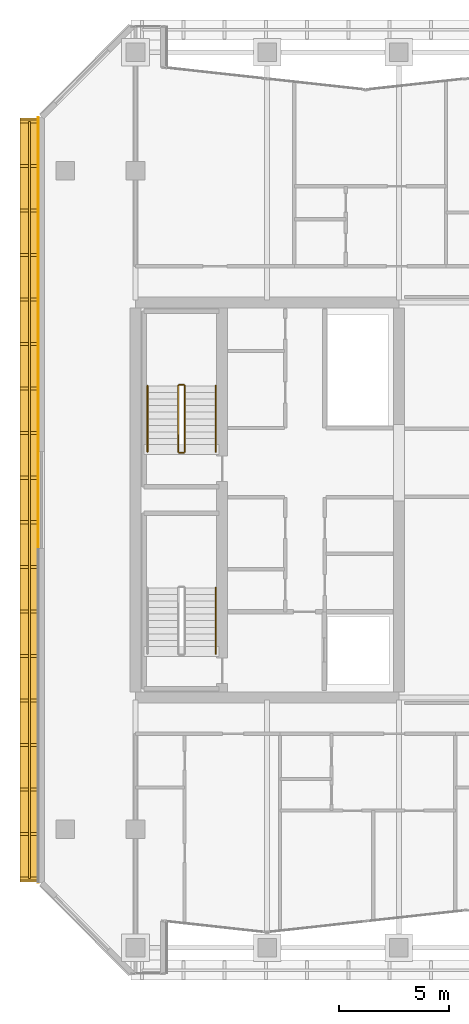
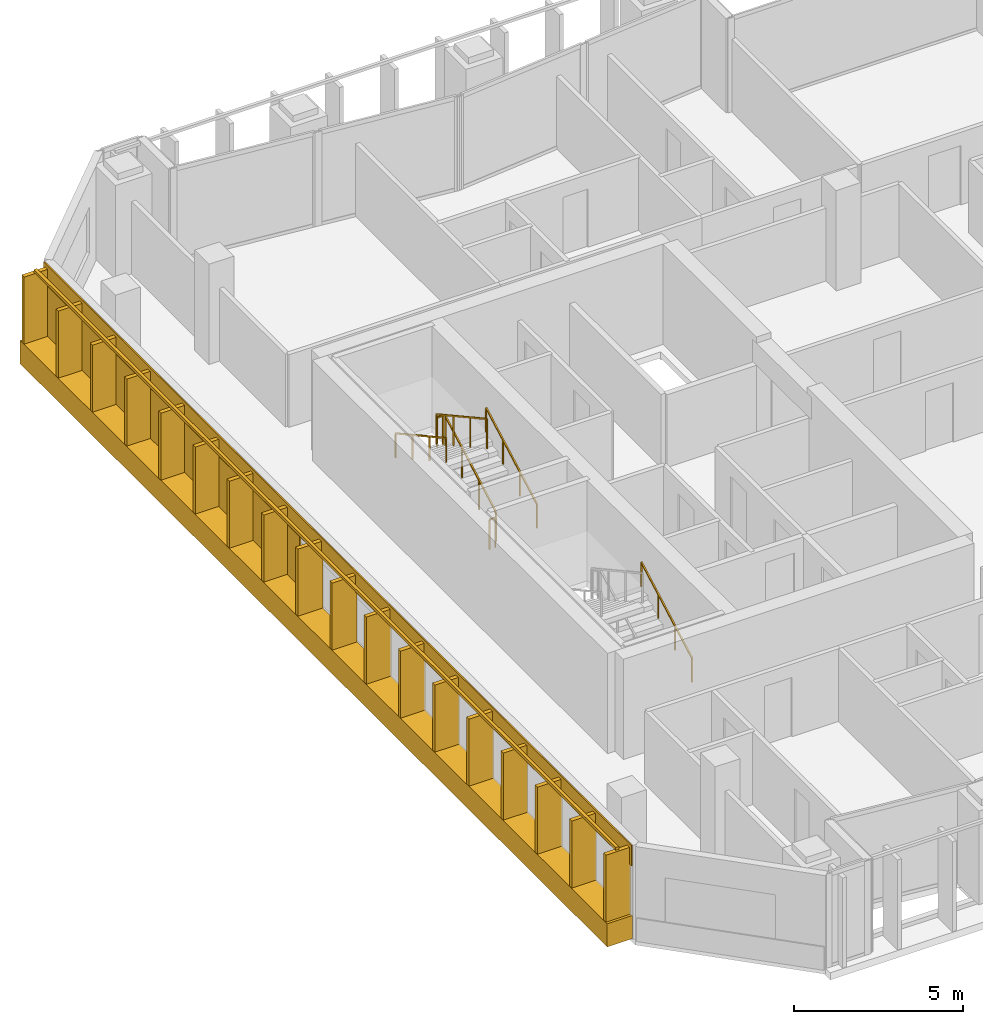
# One storey, part 26 of 29: 8 railings, 3 coverings.
"""IFC4 building model written with IfcOpenShell, lengths in metres."""

import ifcopenshell
import ifcopenshell.guid

model = None  # the IFC model being written
_history = None  # IfcOwnerHistory: only IFC2X3 demands one
_inside = {}  # id of a spatial element -> (the spatial element, [elements in it])
_under = {}  # id of a project, library or spatial element -> (it, [spatial elements below it])
_declared = {}  # id of a project -> (the project, [libraries it declares])
_typed = {}  # id of a type object -> (the type object, [elements of that type])
_made_of = {}  # id of a material, layer set ... -> (it, [elements and type objects made of it])


def new_model(schema):
    """Start an empty IFC model of exactly this schema.

    Asked for "IFC4X3", IfcOpenShell would pick the latest addendum, in which some entities
    have other attributes; the version numbers below select the first issue.
    IFC2X3 requires an IfcOwnerHistory on every rooted entity: one is made here for all.
    """
    global model, _history
    if schema == "IFC4X3":
        model = ifcopenshell.file(schema_version=(4, 3, 0, 0))
    else:
        model = ifcopenshell.file(schema=schema)
    _inside.clear()
    _under.clear()
    _declared.clear()
    _typed.clear()
    _made_of.clear()
    _history = None
    if model.schema == "IFC2X3":
        org = make("IfcOrganization", Name="unknown")
        user = make(
            "IfcPersonAndOrganization",
            ThePerson=make("IfcPerson", FamilyName="unknown"),
            TheOrganization=org,
        )
        app = make(
            "IfcApplication",
            ApplicationDeveloper=org,
            Version="unknown",
            ApplicationFullName="unknown",
            ApplicationIdentifier="unknown",
        )
        _history = make(
            "IfcOwnerHistory",
            OwningUser=user,
            OwningApplication=app,
            ChangeAction="ADDED",
            CreationDate=0,
        )
    return model


def make(cls, **values):
    """One entity of the class cls with the attributes given. An attribute that is None is left unset."""
    return model.create_entity(
        cls, **{name: value for name, value in values.items() if value is not None}
    )


def rooted(cls, **values):
    """An entity with a GlobalId (a new one), such as an element, a storey or a relation."""
    return make(cls, GlobalId=ifcopenshell.guid.new(), OwnerHistory=_history, **values)


def si_unit(unit_type, name, prefix=None):
    """IfcSIUnit, for example si_unit("LENGTHUNIT", "METRE", prefix="MILLI")."""
    return make("IfcSIUnit", UnitType=unit_type, Prefix=prefix, Name=name)


def assignment(units):
    """IfcUnitAssignment: the units of a project."""
    return None if units is None else make("IfcUnitAssignment", Units=units)


def point(xyz):
    """IfcCartesianPoint."""
    return None if xyz is None else make("IfcCartesianPoint", Coordinates=xyz)


def direction(xyz):
    """IfcDirection."""
    return None if xyz is None else make("IfcDirection", DirectionRatios=xyz)


def frame(location, z_axis=None, x_axis=None):
    """IfcAxis2Placement3D, a coordinate frame: its origin and axes. An axis left out is left unset."""
    return make(
        "IfcAxis2Placement3D",
        Location=point(location),
        Axis=direction(z_axis),
        RefDirection=direction(x_axis),
    )


def frame_2d(location, x_axis=None):
    """IfcAxis2Placement2D, a coordinate frame in the plane: its origin and x axis."""
    return make(
        "IfcAxis2Placement2D", Location=point(location), RefDirection=direction(x_axis)
    )


def origin():
    """The frame at (0, 0, 0) with its axes left unset."""
    return frame((0.0, 0.0, 0.0))


def origin_2d():
    """The frame at (0, 0) in the plane with its x axis left unset."""
    return frame_2d((0.0, 0.0))


def place(relative_to, where):
    """IfcLocalPlacement: puts the frame where relative to a parent placement (None: the world)."""
    return make(
        "IfcLocalPlacement", PlacementRelTo=relative_to, RelativePlacement=where
    )


def context(
    kind, dimensions, precision=None, world=None, true_north=None, identifier=None
):
    """IfcGeometricRepresentationContext, for example the 3D "Model" context."""
    return make(
        "IfcGeometricRepresentationContext",
        ContextIdentifier=identifier,
        ContextType=kind,
        CoordinateSpaceDimension=dimensions,
        Precision=precision,
        WorldCoordinateSystem=world,
        TrueNorth=true_north,
    )


def subcontext(parent, identifier, kind, view, scale=None):
    """IfcGeometricRepresentationSubContext, for example "Body" below "Model"."""
    return make(
        "IfcGeometricRepresentationSubContext",
        ContextIdentifier=identifier,
        ContextType=kind,
        ParentContext=parent,
        TargetScale=scale,
        TargetView=view,
    )


def project(units=None, contexts=None):
    """IfcProject with its units and contexts."""
    return rooted(
        "IfcProject",
        Name="project",
        RepresentationContexts=contexts,
        UnitsInContext=assignment(units),
    )


def spatial(cls, under=None, at=None, **own):
    """A site, building, storey or space (cls), placed at a placement, below another one or the project."""
    s = rooted(cls, ObjectPlacement=at, **own)
    if under is not None:
        _under.setdefault(under.id(), (under, []))[1].append(s)
    return s


def profile(cls, at=None, kind="AREA", **sizes):
    """A parametric profile (cls). Its sizes go by their IFC names, for example OverallWidth=200.0."""
    return make(cls, ProfileType=kind, Position=at, **sizes)


def rectangle(**sizes):
    """IfcRectangleProfileDef."""
    return profile("IfcRectangleProfileDef", **sizes)


def extrude(swept, where, along, depth):
    """IfcExtrudedAreaSolid: the profile swept, set in the frame where, extruded along a direction by depth."""
    return make(
        "IfcExtrudedAreaSolid",
        SweptArea=swept,
        Position=where,
        ExtrudedDirection=direction(along),
        Depth=depth,
    )


def shape(context_of_items, identifier, shape_type, items):
    """IfcShapeRepresentation: the items that make up one representation, for example the "Body"."""
    return make(
        "IfcShapeRepresentation",
        ContextOfItems=context_of_items,
        RepresentationIdentifier=identifier,
        RepresentationType=shape_type,
        Items=items,
    )


def material(Name=None, Category=None):
    """IfcMaterial."""
    return make("IfcMaterial", Name=Name, Category=Category)


def layer(
    of_material, thickness, ventilated=None, Name=None, Category=None, Priority=None
):
    """IfcMaterialLayer: one layer of a wall or slab, of a material (None: an air gap)."""
    return make(
        "IfcMaterialLayer",
        Material=of_material,
        LayerThickness=thickness,
        IsVentilated=ventilated,
        Name=Name,
        Category=Category,
        Priority=Priority,
    )


def layer_set(layers, Name=None):
    """IfcMaterialLayerSet."""
    return make("IfcMaterialLayerSet", MaterialLayers=layers, LayerSetName=Name)


def made_of(thing, what):
    """Note that an element or type object is made of a material, layer set ...; save() writes the relation."""
    if what is not None:
        _made_of.setdefault(what.id(), (what, []))[1].append(thing)
    return thing


def type_object(cls, material=None, **own):
    """A type object (cls), such as IfcWallType, which elements share."""
    return made_of(rooted(cls, **own), material)


def element(
    cls,
    number,
    at=None,
    inside=None,
    cuts=None,
    type_object=None,
    material=None,
    context=None,
    identifier="Body",
    shape_type=None,
    held_by="IfcProductDefinitionShape",
    body=None,
    shapes=None,
    **own,
):
    """One element of the class cls, such as IfcWall. Its Tag is "e" and its number.

    at: its placement. inside: the storey or other place that contains it. cuts: it is an
    opening in that element (IfcRelVoidsElement). A single representation is given by context,
    identifier, shape_type and body (its items); several are given by shapes. held_by: the class
    of the entity that holds the representations. save() writes the other relations.
    """
    e = rooted(cls, Tag="e%d" % number, ObjectPlacement=at, **own)
    if body is not None:
        shapes = [shape(context, identifier, shape_type, body)]
    if shapes is not None:
        e.Representation = make(held_by, Representations=shapes)
    if inside is not None:
        _inside.setdefault(inside.id(), (inside, []))[1].append(e)
    if cuts is not None:
        rooted(
            "IfcRelVoidsElement", RelatingBuildingElement=cuts, RelatedOpeningElement=e
        )
    if type_object is not None:
        _typed.setdefault(type_object.id(), (type_object, []))[1].append(e)
    return made_of(e, material)


def aggregate(whole, parts):
    """IfcRelAggregates: a whole, such as a stair, and the parts it consists of."""
    return rooted("IfcRelAggregates", RelatingObject=whole, RelatedObjects=parts)


def save(model, path):
    """Write the relations noted so far, then the file.

    IfcRelAggregates (storeys below a building ...), IfcRelContainedInSpatialStructure (elements
    in a storey), IfcRelDefinesByType, IfcRelAssociatesMaterial and IfcRelDeclares: one each for
    every whole, place, type object, material and project.
    """
    for whole, parts in _under.values():
        aggregate(whole, parts)
    for where, things in _inside.values():
        rooted(
            "IfcRelContainedInSpatialStructure",
            RelatedElements=things,
            RelatingStructure=where,
        )
    for kind, things in _typed.values():
        rooted("IfcRelDefinesByType", RelatedObjects=things, RelatingType=kind)
    for what, things in _made_of.values():
        rooted("IfcRelAssociatesMaterial", RelatedObjects=things, RelatingMaterial=what)
    for by, libraries in _declared.values():
        rooted("IfcRelDeclares", RelatingContext=by, RelatedDefinitions=libraries)
    model.write(path)


model = new_model("IFC4")

# Units and contexts
model_context = context("Model", 3, precision=1e-05, world=origin(), true_north=direction((0.0, 1.0)))
body_context = subcontext(model_context, "Body", "Model", "MODEL_VIEW")
ifc_project = project(units=[si_unit("LENGTHUNIT", "METRE"), si_unit("AREAUNIT", "SQUARE_METRE"), si_unit("VOLUMEUNIT", "CUBIC_METRE"), si_unit("PLANEANGLEUNIT", "RADIAN"), si_unit("MASSUNIT", "GRAM", prefix="KILO")], contexts=[model_context])

# Site, building, storey
site_placement = place(None, origin())
site = spatial("IfcSite", under=ifc_project, at=site_placement, CompositionType="ELEMENT")
building_placement = place(site_placement, origin())
building = spatial("IfcBuilding", under=site, at=building_placement, Name="Tanjung Sevakor Pilgrim Tower", CompositionType="ELEMENT")
storey_placement = place(building_placement, frame((0.0, 0.0, 162.030029296875)))
storey = spatial("IfcBuildingStorey", under=building, at=storey_placement, Name="L45", CompositionType="ELEMENT", Elevation=162.030029296875)

# Coverings
ifc_material_1 = material(Name="Reconstructed Limestone Cladding", Category="masonry")
ifc_layer = layer(ifc_material_1, 0.044921875)
ifc_layer_set = layer_set([ifc_layer], Name="COV-CLAD-LIMESTONE")
covering_type = type_object("IfcCoveringType", Name="COV-CLAD-LIMESTONE", PredefinedType="CLADDING", material=ifc_layer_set)
covering_1_placement = place(storey_placement, frame((19.169921875, 33.60009765625, 0.009765625), z_axis=(0.0, 0.0, 1.0), x_axis=(0.0, -1.0, 0.0)))
element("IfcCovering", 1, at=covering_1_placement, inside=storey, type_object=covering_type, Name="L45 Warm Limestone Sill Spandrel EW-L45-MAIN-35-1", PredefinedType="CLADDING", context=body_context, shape_type="SweptSolid", body=[
    extrude(rectangle(XDim=34.81640625, YDim=0.860107421875, at=origin_2d()), origin(), (0.0, 0.0, 1.0), 0.840087890625),
])
covering_2_placement = place(storey_placement, frame((19.577392578125, 33.60009765625, 2.66015625), z_axis=(0.0, 0.0, 1.0), x_axis=(0.0, -1.0, 0.0)))
element("IfcCovering", 2, at=covering_2_placement, inside=storey, type_object=covering_type, Name="L45 Warm Limestone Cornice Spandrel EW-L45-MAIN-35", PredefinedType="CLADDING", context=body_context, shape_type="SweptSolid", body=[
    extrude(rectangle(XDim=34.8564453125, YDim=0.044921875, at=origin_2d()), origin(), (0.0, 0.0, 1.0), 0.739990234375),
])
covering_3_placement = place(storey_placement, frame((19.577392578125, 43.42919921875, 0.849853515625), z_axis=(0.0, 0.0, 1.0), x_axis=(0.0, -1.0, 0.0)))
element("IfcCovering", 3, at=covering_3_placement, inside=storey, type_object=covering_type, Name="L45 Warm Limestone Pier Panel EW-L45-MAIN-35-1", PredefinedType="CLADDING", context=body_context, shape_type="SweptSolid", body=[
    extrude(rectangle(XDim=15.158203125, YDim=0.044921875, at=origin_2d()), origin(), (0.0, 0.0, 1.0), 1.81005859375),
])

# Railings
ifc_material_2 = material(Name="Anodised Bronze Aluminium 6063-T6", Category="aluminium")
railing_type_1 = type_object("IfcRailingType", Name="RL-FIN-SCREEN", PredefinedType="BALUSTRADE", material=ifc_material_2)
railing_1_placement = place(storey_placement, frame((19.175048828125, 50.84814453125, 0.840087890625)))
element("IfcRailing", 4, at=railing_1_placement, inside=storey, type_object=railing_type_1, Name="L45 Vertical Bronze-Gold Solar Fin Screen FNEND-EW-L45-MAIN-35-1", PredefinedType="BALUSTRADE", context=body_context, shape_type="SweptSolid", body=[
    extrude(rectangle(XDim=0.105, YDim=0.105), frame((0.0, 0.0, 2.487548828125), z_axis=(0.0, -1.0, 0.0), x_axis=(1.0, 0.0, 0.0)), (0.0, 0.0, 1.0), 34.496337890625),
    extrude(rectangle(XDim=0.85, YDim=0.14), origin(), (0.0, 0.0, 1.0), 2.43505859375),
    extrude(rectangle(XDim=0.85, YDim=0.14), frame((0.0, -2.029296875, 0.0)), (0.0, 0.0, 1.0), 2.43505859375),
    extrude(rectangle(XDim=0.85, YDim=0.14), frame((0.0, -4.058349609375, 0.0)), (0.0, 0.0, 1.0), 2.43505859375),
    extrude(rectangle(XDim=0.85, YDim=0.14), frame((0.0, -6.087646484375, 0.0)), (0.0, 0.0, 1.0), 2.43505859375),
    extrude(rectangle(XDim=0.85, YDim=0.14), frame((0.0, -8.11669921875, 0.0)), (0.0, 0.0, 1.0), 2.43505859375),
    extrude(rectangle(XDim=0.85, YDim=0.14), frame((0.0, -10.14599609375, 0.0)), (0.0, 0.0, 1.0), 2.43505859375),
    extrude(rectangle(XDim=0.85, YDim=0.14), frame((0.0, -12.17529296875, 0.0)), (0.0, 0.0, 1.0), 2.43505859375),
    extrude(rectangle(XDim=0.85, YDim=0.14), frame((0.0, -14.204345703125, 0.0)), (0.0, 0.0, 1.0), 2.43505859375),
    extrude(rectangle(XDim=0.85, YDim=0.14), frame((0.0, -16.233642578125, 0.0)), (0.0, 0.0, 1.0), 2.43505859375),
    extrude(rectangle(XDim=0.85, YDim=0.14), frame((0.0, -18.2626953125, 0.0)), (0.0, 0.0, 1.0), 2.43505859375),
    extrude(rectangle(XDim=0.85, YDim=0.14), frame((0.0, -20.2919921875, 0.0)), (0.0, 0.0, 1.0), 2.43505859375),
    extrude(rectangle(XDim=0.85, YDim=0.14), frame((0.0, -22.321044921875, 0.0)), (0.0, 0.0, 1.0), 2.43505859375),
    extrude(rectangle(XDim=0.85, YDim=0.14), frame((0.0, -24.350341796875, 0.0)), (0.0, 0.0, 1.0), 2.43505859375),
    extrude(rectangle(XDim=0.85, YDim=0.14), frame((0.0, -26.379638671875, 0.0)), (0.0, 0.0, 1.0), 2.43505859375),
    extrude(rectangle(XDim=0.85, YDim=0.14), frame((0.0, -28.40869140625, 0.0)), (0.0, 0.0, 1.0), 2.43505859375),
    extrude(rectangle(XDim=0.85, YDim=0.14), frame((0.0, -30.43798828125, 0.0)), (0.0, 0.0, 1.0), 2.43505859375),
    extrude(rectangle(XDim=0.85, YDim=0.14), frame((0.0, -32.467041015625, 0.0)), (0.0, 0.0, 1.0), 2.43505859375),
    extrude(rectangle(XDim=0.85, YDim=0.14), frame((0.0, -34.496337890625, 0.0)), (0.0, 0.0, 1.0), 2.43505859375),
])
ifc_material_3 = material(Name="Steel S355J2", Category="steel")
railing_type_2 = type_object("IfcRailingType", Name="RL-STAIR-GUARD", PredefinedType="GUARDRAIL", material=ifc_material_3)
railing_2_placement = place(storey_placement, frame((26.25, 35.800048828125, 0.1650390625)))
element("IfcRailing", 5, at=railing_2_placement, inside=storey, type_object=railing_type_2, Name="L45 TS-W2 stair guard 1", PredefinedType="GUARDRAIL", context=body_context, shape_type="SweptSolid", body=[
    extrude(rectangle(XDim=0.0479, YDim=0.0479), frame((0.0, 0.0, 1.076171875), z_axis=(0.0, 0.876227952683, 0.48189685093), x_axis=(-1.0, 0.0, 0.0)), (0.0, 0.0, 1.0), 3.423828125),
    extrude(rectangle(XDim=0.042, YDim=0.042), origin(), (0.0, 0.0, 1.0), 1.052001953125),
    extrude(rectangle(XDim=0.042, YDim=0.042), frame((0.0, 1.0, 0.550048828125)), (0.0, 0.0, 1.0), 1.052001953125),
    extrude(rectangle(XDim=0.042, YDim=0.042), frame((0.0, 2.0, 1.099853515625)), (0.0, 0.0, 1.0), 1.052001953125),
    extrude(rectangle(XDim=0.042, YDim=0.042), frame((0.0, 3.0, 1.64990234375)), (0.0, 0.0, 1.0), 1.052001953125),
])
railing_3_placement = place(storey_placement, frame((26.199951171875, 38.85009765625, 1.81494140625)))
element("IfcRailing", 6, at=railing_3_placement, inside=storey, type_object=railing_type_2, Name="L45 TS-W2 stair guard 2", PredefinedType="GUARDRAIL", context=body_context, shape_type="SweptSolid", body=[
    extrude(rectangle(XDim=0.0479, YDim=0.0479), frame((0.0, 0.0, 1.076171875), z_axis=(-1.0, 0.0, 0.0), x_axis=(0.0, -1.0, 0.0)), (0.0, 0.0, 1.0), 0.199951171875),
    extrude(rectangle(XDim=0.042, YDim=0.042), origin(), (0.0, 0.0, 1.0), 1.052001953125),
    extrude(rectangle(XDim=0.042, YDim=0.042), frame((-0.199951171875, 0.0, 0.0)), (0.0, 0.0, 1.0), 1.052001953125),
])
railing_4_placement = place(storey_placement, frame((25.949951171875, 38.800048828125, 1.97998046875)))
element("IfcRailing", 7, at=railing_4_placement, inside=storey, type_object=railing_type_2, Name="L45 TS-W2 stair guard 3", PredefinedType="GUARDRAIL", context=body_context, shape_type="SweptSolid", body=[
    extrude(rectangle(XDim=0.0479, YDim=0.0479), frame((0.0, 0.0, 1.076171875), z_axis=(0.0, -0.876227952683, 0.48189685093), x_axis=(1.0, 0.0, 0.0)), (0.0, 0.0, 1.0), 3.423828125),
    extrude(rectangle(XDim=0.042, YDim=0.042), origin(), (0.0, 0.0, 1.0), 1.052001953125),
    extrude(rectangle(XDim=0.042, YDim=0.042), frame((0.0, -1.0, 0.550048828125)), (0.0, 0.0, 1.0), 1.052001953125),
    extrude(rectangle(XDim=0.042, YDim=0.042), frame((0.0, -2.0, 1.099853515625)), (0.0, 0.0, 1.0), 1.052001953125),
    extrude(rectangle(XDim=0.042, YDim=0.042), frame((0.0, -3.0, 1.64990234375)), (0.0, 0.0, 1.0), 1.052001953125),
])
railing_5_placement = place(storey_placement, frame((26.199951171875, 35.75, 0.0)))
element("IfcRailing", 8, at=railing_5_placement, inside=storey, type_object=railing_type_2, Name="L45 TS-W2 stair guard 4", PredefinedType="GUARDRAIL", context=body_context, shape_type="SweptSolid", body=[
    extrude(rectangle(XDim=0.0479, YDim=0.0479), frame((0.0, 0.0, 1.076171875), z_axis=(-1.0, 0.0, 0.0), x_axis=(0.0, -1.0, 0.0)), (0.0, 0.0, 1.0), 0.199951171875),
    extrude(rectangle(XDim=0.042, YDim=0.042), origin(), (0.0, 0.0, 1.0), 1.052001953125),
    extrude(rectangle(XDim=0.042, YDim=0.042), frame((-0.199951171875, 0.0, 0.0)), (0.0, 0.0, 1.0), 1.052001953125),
])
ifc_material_4 = material(Name="Steel S355J2", Category="steel")
railing_type_3 = type_object("IfcRailingType", Name="RL-STAIR-HAND", PredefinedType="HANDRAIL", material=ifc_material_4)
for number, where, name in (
    (9, (27.64990234375, 26.60009765625, 0.1650390625), "L45 TS-W1 stair handrail 1"),
    (10, (27.64990234375, 35.800048828125, 0.1650390625), "L45 TS-W2 stair handrail 1"),
):
    element("IfcRailing", number, at=place(storey_placement, frame(where)), inside=storey, type_object=railing_type_3, Name=name, PredefinedType="HANDRAIL", context=body_context, shape_type="SweptSolid", body=[
        extrude(rectangle(XDim=0.0479, YDim=0.0479), frame((0.0, 0.0, 0.8759765625), z_axis=(0.0, 0.876227952683, 0.48189685093), x_axis=(-1.0, 0.0, 0.0)), (0.0, 0.0, 1.0), 3.423828125),
        extrude(rectangle(XDim=0.042, YDim=0.042), origin(), (0.0, 0.0, 1.0), 0.851806640625),
        extrude(rectangle(XDim=0.042, YDim=0.042), frame((0.0, 1.0, 0.550048828125)), (0.0, 0.0, 1.0), 0.851806640625),
        extrude(rectangle(XDim=0.042, YDim=0.042), frame((0.0, 2.0, 1.099853515625)), (0.0, 0.0, 1.0), 0.851806640625),
        extrude(rectangle(XDim=0.042, YDim=0.042), frame((0.0, 3.0, 1.64990234375)), (0.0, 0.0, 1.0), 0.851806640625),
    ])
railing_6_placement = place(storey_placement, frame((24.550048828125, 38.800048828125, 1.97998046875)))
element("IfcRailing", 11, at=railing_6_placement, inside=storey, type_object=railing_type_3, Name="L45 TS-W2 stair handrail 2", PredefinedType="HANDRAIL", context=body_context, shape_type="SweptSolid", body=[
    extrude(rectangle(XDim=0.0479, YDim=0.0479), frame((0.0, 0.0, 0.8759765625), z_axis=(0.0, -0.876227952683, 0.48189685093), x_axis=(1.0, 0.0, 0.0)), (0.0, 0.0, 1.0), 3.423828125),
    extrude(rectangle(XDim=0.042, YDim=0.042), origin(), (0.0, 0.0, 1.0), 0.851806640625),
    extrude(rectangle(XDim=0.042, YDim=0.042), frame((0.0, -1.0, 0.550048828125)), (0.0, 0.0, 1.0), 0.851806640625),
    extrude(rectangle(XDim=0.042, YDim=0.042), frame((0.0, -2.0, 1.099853515625)), (0.0, 0.0, 1.0), 0.851806640625),
    extrude(rectangle(XDim=0.042, YDim=0.042), frame((0.0, -3.0, 1.64990234375)), (0.0, 0.0, 1.0), 0.851806640625),
])

save(model, "model.ifc")
